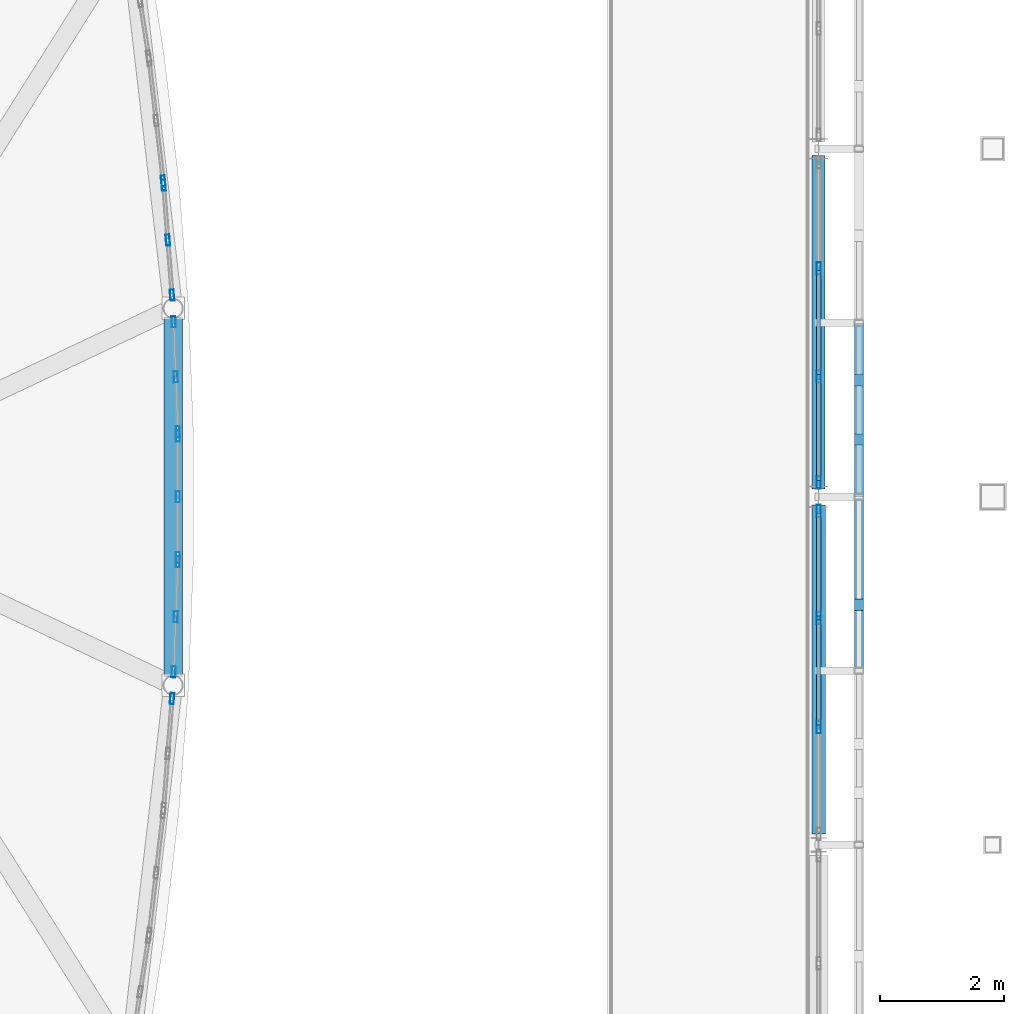
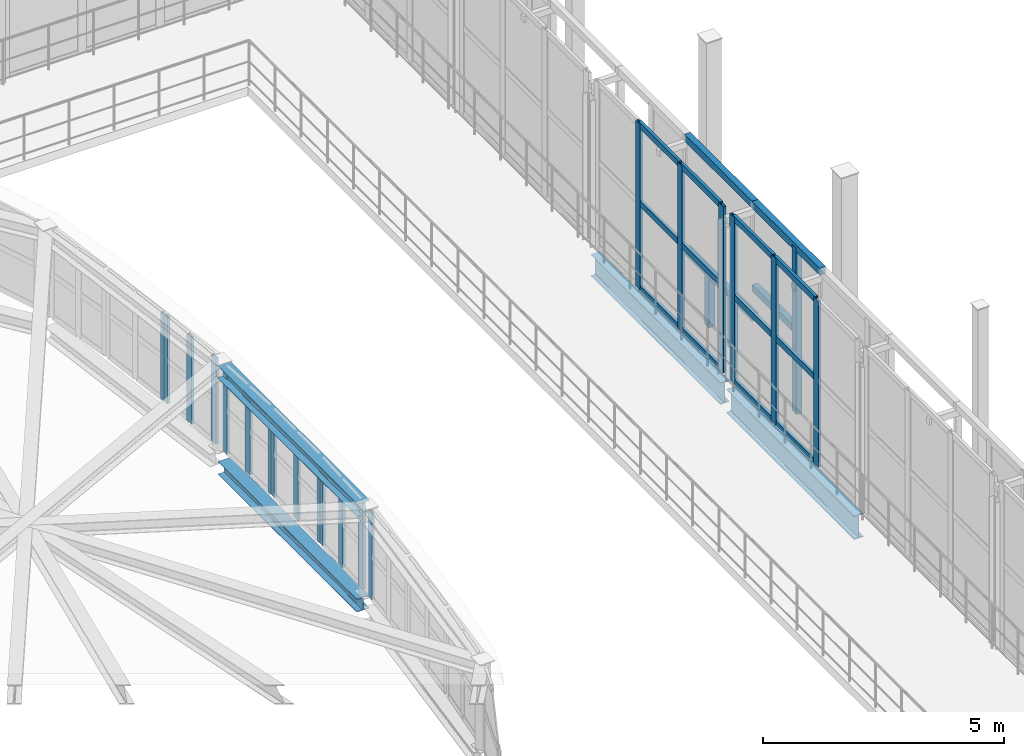
# One storey, part 36 of 78: 39 members, 4 beams, 8 elements without a shape of their own.
"""IFC4 building model written with IfcOpenShell, lengths in metres."""

from ifc_helpers import new_model, si_unit, direction, frame, origin, origin_2d, place, context, subcontext, project, spatial, rectangle, hollow_rectangle, i_section, extrude, material, layer, layer_set, material_profile, profile_set, type_object, element, aggregate, save


model = new_model("IFC4")

# Units and contexts
model_context = context("Model", 3, precision=1e-05, world=origin(), true_north=direction((0.0, 1.0)))
body_context = subcontext(model_context, "Body", "Model", "MODEL_VIEW")
ifc_project = project(units=[si_unit("LENGTHUNIT", "METRE"), si_unit("AREAUNIT", "SQUARE_METRE"), si_unit("VOLUMEUNIT", "CUBIC_METRE"), si_unit("PLANEANGLEUNIT", "RADIAN"), si_unit("MASSUNIT", "GRAM", prefix="KILO")], contexts=[model_context])

# Site, building, storey
site_placement = place(None, origin())
site = spatial("IfcSite", under=ifc_project, at=site_placement, CompositionType="ELEMENT")
building_placement = place(site_placement, origin())
building = spatial("IfcBuilding", under=site, at=building_placement, Name="Vinh Khe Railworks Police Headquarters", CompositionType="ELEMENT")
storey_placement = place(building_placement, frame((0.0, 0.0, 13.199951171875)))
storey = spatial("IfcBuildingStorey", under=building, at=storey_placement, Name="L03", CompositionType="ELEMENT", Elevation=13.199951171875)

# Members
ifc_material_1 = material(Name="Salvaged ironwood timber", Category="wood")
ifc_material_profile_1 = material_profile(ifc_material_1, rectangle(XDim=0.139892578125, YDim=0.179931640625, at=origin_2d()), Name="TIMBER 140x180")
ifc_profile_set_1 = profile_set([ifc_material_profile_1], Name="Salvaged ironwood timber")
member_type_1 = type_object("IfcMemberType", Name="MEM-QUILT-STILE", PredefinedType="CHORD", material=ifc_profile_set_1)
member_1_placement = place(storey_placement, frame((60.64990234375, 39.199951171875, 4.1201171875), z_axis=(0.0, 1.0, 0.0), x_axis=(-1.0, 0.0, 0.0)))
element("IfcMember", 1, at=member_1_placement, inside=storey, type_object=member_type_1, Name="Salvaged Timber Quilt Transom E-L03-05-TOP", PredefinedType="CHORD", context=body_context, shape_type="SweptSolid", body=[
    extrude(rectangle(XDim=0.139892578125, YDim=0.179931640625, at=origin_2d()), origin(), (0.0, 0.0, 1.0), 2.800048828125),
])
member_2_placement = place(storey_placement, frame((60.64990234375, 40.263916015625, -0.079833984375), z_axis=(0.0, 0.0, 1.0), x_axis=(1.0, 0.0, 0.0)))
element("IfcMember", 2, at=member_2_placement, inside=storey, type_object=member_type_1, Name="Salvaged Timber Quilt Stile E-L03-05-V1", PredefinedType="POST", context=body_context, shape_type="SweptSolid", body=[
    extrude(rectangle(XDim=0.139892578125, YDim=0.179931640625, at=origin_2d()), origin(), (0.0, 0.0, 1.0), 4.199951171875),
])
member_3_placement = place(storey_placement, frame((60.64990234375, 40.263916015625, 2.01611328125), z_axis=(0.0, 1.0, 0.0), x_axis=(-1.0, 0.0, 0.0)))
element("IfcMember", 3, at=member_3_placement, inside=storey, type_object=member_type_1, Name="Salvaged Timber Quilt Transom E-L03-05-M1", PredefinedType="CHORD", context=body_context, shape_type="SweptSolid", body=[
    extrude(rectangle(XDim=0.139892578125, YDim=0.179931640625, at=origin_2d()), origin(), (0.0, 0.0, 1.0), 1.736083984375),
])
for number, where, z_axis, x_axis, name in (
    (4, (60.64990234375, 42.0, 4.1201171875), (0.0, 1.0, 0.0), (-1.0, 0.0, 0.0), "Salvaged Timber Quilt Transom E-L03-06-TOP"),
    (5, (60.64990234375, 42.0, 1.260009765625), (0.0, 1.0, 0.0), (-1.0, 0.0, 0.0), "Salvaged Timber Quilt Transom E-L03-06-M1"),
):
    element("IfcMember", number, at=place(storey_placement, frame(where, z_axis=z_axis, x_axis=x_axis)), inside=storey, type_object=member_type_1, Name=name, PredefinedType="CHORD", context=body_context, shape_type="SweptSolid", body=[
        extrude(rectangle(XDim=0.139892578125, YDim=0.179931640625, at=origin_2d()), origin(), (0.0, 0.0, 1.0), 2.800048828125),
    ])
for number, where, z_axis, x_axis, name in (
    (6, (60.64990234375, 42.924072265625, -0.079833984375), (0.0, 0.0, 1.0), (1.0, 0.0, 0.0), "Salvaged Timber Quilt Stile E-L03-06-V1"),
    (7, (60.64990234375, 43.8759765625, -0.079833984375), (0.0, 0.0, 1.0), (1.0, 0.0, 0.0), "Salvaged Timber Quilt Stile E-L03-06-V2"),
):
    element("IfcMember", number, at=place(storey_placement, frame(where, z_axis=z_axis, x_axis=x_axis)), inside=storey, type_object=member_type_1, Name=name, PredefinedType="POST", context=body_context, shape_type="SweptSolid", body=[
        extrude(rectangle(XDim=0.139892578125, YDim=0.179931640625, at=origin_2d()), origin(), (0.0, 0.0, 1.0), 1.33984375),
    ])

# Curtain wall, member
ifc_material_2 = material(Name="Anodised aluminium and acoustic laminated glass", Category="aluminium")
ifc_layer_1 = layer(ifc_material_2, 0.159912109375)
ifc_layer_set_1 = layer_set([ifc_layer_1], Name="Anodised aluminium and acoustic laminated glass")
curtain_wall_type_1 = type_object("IfcCurtainWallType", Name="CW-DRUM-CHORD", PredefinedType="USERDEFINED", material=ifc_layer_set_1)
curtain_wall_1_placement = place(storey_placement, origin())
curtain_wall_1 = element("IfcCurtainWall", 8, at=curtain_wall_1_placement, inside=storey, type_object=curtain_wall_type_1, Name="Elliptical Command Drum Glazing L03 Chord 3", ObjectType="DRUM FACADE GLAZING", PredefinedType="USERDEFINED")
ifc_material_3 = material(Name="Anodised aluminium 6063-T6", Category="aluminium")
ifc_material_profile_2 = material_profile(ifc_material_3, hollow_rectangle(XDim=0.06494140625, YDim=0.179931640625, WallThickness=0.0048828125, at=origin_2d()), Name="CW-M 65x180x5")
ifc_profile_set_2 = profile_set([ifc_material_profile_2], Name="Anodised aluminium 6063-T6")
member_type_2 = type_object("IfcMemberType", Name="MULL-CWM-02", PredefinedType="MULLION", material=ifc_profile_set_2)
member_4_placement = place(storey_placement, frame((49.595947265625, 38.754150390625, 0.0), z_axis=(0.0, 0.0, 1.0), x_axis=(-0.997033481847, 0.076969059213, 0.0)))
member_4 = element("IfcMember", 9, at=member_4_placement, type_object=member_type_2, Name="CW-02 mullion 3", PredefinedType="MULLION", context=body_context, shape_type="SweptSolid", body=[
    extrude(hollow_rectangle(XDim=0.06494140625, YDim=0.179931640625, WallThickness=0.0048828125, at=origin_2d()), origin(), (0.0, 0.0, 1.0), 2.179931640625),
])
aggregate(curtain_wall_1, [member_4])

# Curtain wall, members
curtain_wall_2_placement = place(storey_placement, origin())
curtain_wall_2 = element("IfcCurtainWall", 10, at=curtain_wall_2_placement, inside=storey, type_object=curtain_wall_type_1, Name="Elliptical Command Drum Glazing L03 Chord 4", ObjectType="DRUM FACADE GLAZING", PredefinedType="USERDEFINED")
member_5_placement = place(storey_placement, frame((49.62060546875, 39.18212890625, 0.0), z_axis=(0.0, 0.0, 1.0), x_axis=(-0.999258113622, 0.038512625989, 0.0)))
member_5 = element("IfcMember", 11, at=member_5_placement, type_object=member_type_2, Name="CW-02 mullion 1", PredefinedType="MULLION", context=body_context, shape_type="SweptSolid", body=[
    extrude(hollow_rectangle(XDim=0.06494140625, YDim=0.179931640625, WallThickness=0.0048828125, at=origin_2d()), origin(), (0.0, 0.0, 1.0), 2.179931640625),
])
member_6_placement = place(storey_placement, frame((49.65478515625, 40.0693359375, 0.0), z_axis=(0.0, 0.0, 1.0), x_axis=(-0.999258113622, 0.038512625989, 0.0)))
member_6 = element("IfcMember", 12, at=member_6_placement, type_object=member_type_2, Name="CW-02 mullion 2", PredefinedType="MULLION", context=body_context, shape_type="SweptSolid", body=[
    extrude(hollow_rectangle(XDim=0.06494140625, YDim=0.179931640625, WallThickness=0.0048828125, at=origin_2d()), origin(), (0.0, 0.0, 1.0), 2.179931640625),
])
member_7_placement = place(storey_placement, frame((49.68896484375, 40.956298828125, 0.0), z_axis=(0.0, 0.0, 1.0), x_axis=(-0.999258113622, 0.038512625989, 0.0)))
member_7 = element("IfcMember", 13, at=member_7_placement, type_object=member_type_2, Name="CW-02 mullion 3", PredefinedType="MULLION", context=body_context, shape_type="SweptSolid", body=[
    extrude(hollow_rectangle(XDim=0.06494140625, YDim=0.179931640625, WallThickness=0.0048828125, at=origin_2d()), origin(), (0.0, 0.0, 1.0), 2.179931640625),
])
aggregate(curtain_wall_2, [member_5, member_6, member_7])

curtain_wall_3_placement = place(storey_placement, origin())
curtain_wall_3 = element("IfcCurtainWall", 14, at=curtain_wall_3_placement, inside=storey, type_object=curtain_wall_type_1, Name="Elliptical Command Drum Glazing L03 Chord 5", ObjectType="DRUM FACADE GLAZING", PredefinedType="USERDEFINED")
member_8_placement = place(storey_placement, frame((49.690185546875, 41.021240234375, 0.0), z_axis=(0.0, 0.0, 1.0), x_axis=(-1.0, 0.0, 0.0)))
member_8 = element("IfcMember", 15, at=member_8_placement, type_object=member_type_2, Name="CW-02 mullion 1", PredefinedType="MULLION", context=body_context, shape_type="SweptSolid", body=[
    extrude(hollow_rectangle(XDim=0.06494140625, YDim=0.179931640625, WallThickness=0.0048828125, at=origin_2d()), origin(), (0.0, 0.0, 1.0), 2.179931640625),
])
member_9_placement = place(storey_placement, frame((49.690185546875, 42.0, 0.0), z_axis=(0.0, 0.0, 1.0), x_axis=(-1.0, 0.0, 0.0)))
member_9 = element("IfcMember", 16, at=member_9_placement, type_object=member_type_2, Name="CW-02 mullion 2", PredefinedType="MULLION", context=body_context, shape_type="SweptSolid", body=[
    extrude(hollow_rectangle(XDim=0.06494140625, YDim=0.179931640625, WallThickness=0.0048828125, at=origin_2d()), origin(), (0.0, 0.0, 1.0), 2.179931640625),
])
member_10_placement = place(storey_placement, frame((49.690185546875, 42.978759765625, 0.0), z_axis=(0.0, 0.0, 1.0), x_axis=(-1.0, 0.0, 0.0)))
member_10 = element("IfcMember", 17, at=member_10_placement, type_object=member_type_2, Name="CW-02 mullion 3", PredefinedType="MULLION", context=body_context, shape_type="SweptSolid", body=[
    extrude(hollow_rectangle(XDim=0.06494140625, YDim=0.179931640625, WallThickness=0.0048828125, at=origin_2d()), origin(), (0.0, 0.0, 1.0), 2.179931640625),
])
aggregate(curtain_wall_3, [member_8, member_9, member_10])

curtain_wall_4_placement = place(storey_placement, origin())
curtain_wall_4 = element("IfcCurtainWall", 18, at=curtain_wall_4_placement, inside=storey, type_object=curtain_wall_type_1, Name="Elliptical Command Drum Glazing L03 Chord 6", ObjectType="DRUM FACADE GLAZING", PredefinedType="USERDEFINED")
member_11_placement = place(storey_placement, frame((49.68896484375, 43.043701171875, 0.0), z_axis=(0.0, 0.0, 1.0), x_axis=(-0.999258113622, -0.038512625989, 0.0)))
member_11 = element("IfcMember", 19, at=member_11_placement, type_object=member_type_2, Name="CW-02 mullion 1", PredefinedType="MULLION", context=body_context, shape_type="SweptSolid", body=[
    extrude(hollow_rectangle(XDim=0.06494140625, YDim=0.179931640625, WallThickness=0.0048828125, at=origin_2d()), origin(), (0.0, 0.0, 1.0), 2.179931640625),
])
member_12_placement = place(storey_placement, frame((49.65478515625, 43.9306640625, 0.0), z_axis=(0.0, 0.0, 1.0), x_axis=(-0.999258113622, -0.038512625989, 0.0)))
member_12 = element("IfcMember", 20, at=member_12_placement, type_object=member_type_2, Name="CW-02 mullion 2", PredefinedType="MULLION", context=body_context, shape_type="SweptSolid", body=[
    extrude(hollow_rectangle(XDim=0.06494140625, YDim=0.179931640625, WallThickness=0.0048828125, at=origin_2d()), origin(), (0.0, 0.0, 1.0), 2.179931640625),
])
member_13_placement = place(storey_placement, frame((49.62060546875, 44.81787109375, 0.0), z_axis=(0.0, 0.0, 1.0), x_axis=(-0.999258113622, -0.038512625989, 0.0)))
member_13 = element("IfcMember", 21, at=member_13_placement, type_object=member_type_2, Name="CW-02 mullion 3", PredefinedType="MULLION", context=body_context, shape_type="SweptSolid", body=[
    extrude(hollow_rectangle(XDim=0.06494140625, YDim=0.179931640625, WallThickness=0.0048828125, at=origin_2d()), origin(), (0.0, 0.0, 1.0), 2.179931640625),
])
aggregate(curtain_wall_4, [member_11, member_12, member_13])

curtain_wall_5_placement = place(storey_placement, origin())
curtain_wall_5 = element("IfcCurtainWall", 22, at=curtain_wall_5_placement, inside=storey, type_object=curtain_wall_type_1, Name="Elliptical Command Drum Glazing L03 Chord 7", ObjectType="DRUM FACADE GLAZING", PredefinedType="USERDEFINED")
member_14_placement = place(storey_placement, frame((49.595947265625, 45.245849609375, 0.0), z_axis=(0.0, 0.0, 1.0), x_axis=(-0.997033481847, -0.076969059213, 0.0)))
member_14 = element("IfcMember", 23, at=member_14_placement, type_object=member_type_2, Name="CW-02 mullion 1", PredefinedType="MULLION", context=body_context, shape_type="SweptSolid", body=[
    extrude(hollow_rectangle(XDim=0.06494140625, YDim=0.179931640625, WallThickness=0.0048828125, at=origin_2d()), origin(), (0.0, 0.0, 1.0), 2.179931640625),
])
member_15_placement = place(storey_placement, frame((49.527587890625, 46.131103515625, 0.0), z_axis=(0.0, 0.0, 1.0), x_axis=(-0.997033481847, -0.076969059213, 0.0)))
member_15 = element("IfcMember", 24, at=member_15_placement, type_object=member_type_2, Name="CW-02 mullion 2", PredefinedType="MULLION", context=body_context, shape_type="SweptSolid", body=[
    extrude(hollow_rectangle(XDim=0.06494140625, YDim=0.179931640625, WallThickness=0.0048828125, at=origin_2d()), origin(), (0.0, 0.0, 1.0), 2.179931640625),
])
member_16_placement = place(storey_placement, frame((49.459228515625, 47.01611328125, 0.0), z_axis=(0.0, 0.0, 1.0), x_axis=(-0.997033481847, -0.076969059213, 0.0)))
member_16 = element("IfcMember", 25, at=member_16_placement, type_object=member_type_2, Name="CW-02 mullion 3", PredefinedType="MULLION", context=body_context, shape_type="SweptSolid", body=[
    extrude(hollow_rectangle(XDim=0.06494140625, YDim=0.179931640625, WallThickness=0.0048828125, at=origin_2d()), origin(), (0.0, 0.0, 1.0), 2.179931640625),
])
aggregate(curtain_wall_5, [member_14, member_15, member_16])

# Curtain wall, member
curtain_wall_6_placement = place(storey_placement, origin())
curtain_wall_6 = element("IfcCurtainWall", 26, at=curtain_wall_6_placement, inside=storey, type_object=curtain_wall_type_1, Name="Elliptical Command Drum Glazing L03 Chord 8", ObjectType="DRUM FACADE GLAZING", PredefinedType="USERDEFINED")
member_17_placement = place(storey_placement, frame((49.452880859375, 47.080810546875, 0.0), z_axis=(0.0, 0.0, 1.0), x_axis=(-0.993328656296, -0.115317737498, 0.0)))
member_17 = element("IfcMember", 27, at=member_17_placement, type_object=member_type_2, Name="CW-02 mullion 1", PredefinedType="MULLION", context=body_context, shape_type="SweptSolid", body=[
    extrude(hollow_rectangle(XDim=0.06494140625, YDim=0.179931640625, WallThickness=0.0048828125, at=origin_2d()), origin(), (0.0, 0.0, 1.0), 2.179931640625),
])
aggregate(curtain_wall_6, [member_17])

# Curtain wall, members
ifc_material_4 = material(Name="Anodised aluminium and low-iron glass", Category="aluminium")
ifc_layer_2 = layer(ifc_material_4, 0.179931640625)
ifc_layer_set_2 = layer_set([ifc_layer_2], Name="Anodised aluminium and low-iron glass")
curtain_wall_type_2 = type_object("IfcCurtainWallType", Name="CW-CUBE-UNIT", PredefinedType="USERDEFINED", material=ifc_layer_set_2)
curtain_wall_7_placement = place(storey_placement, origin())
curtain_wall_7 = element("IfcCurtainWall", 28, at=curtain_wall_7_placement, inside=storey, type_object=curtain_wall_type_2, Name="Entrance Hall Curtain Wall L03 E-3", ObjectType="UNITISED GLAZING", PredefinedType="USERDEFINED")
ifc_material_profile_3 = material_profile(ifc_material_3, hollow_rectangle(XDim=0.070068359375, YDim=0.199951171875, WallThickness=0.0048828125, at=origin_2d()), Name="CW-M 70x200x5")
ifc_profile_set_3 = profile_set([ifc_material_profile_3], Name="Anodised aluminium 6063-T6")
member_type_3 = type_object("IfcMemberType", Name="MULL-CWM-03", PredefinedType="MULLION", material=ifc_profile_set_3)
member_18_placement = place(storey_placement, frame((60.0, 38.294921875, 0.0), z_axis=(0.0, 0.0, 1.0), x_axis=(-1.0, 0.0, 0.0)))
member_18 = element("IfcMember", 29, at=member_18_placement, type_object=member_type_3, Name="CW-01 mullion 2", PredefinedType="MULLION", context=body_context, shape_type="SweptSolid", body=[
    extrude(hollow_rectangle(XDim=0.070068359375, YDim=0.199951171875, WallThickness=0.0048828125, at=origin_2d()), origin(), (0.0, 0.0, 1.0), 4.199951171875),
])
member_19_placement = place(storey_placement, frame((60.0, 40.050048828125, 0.0), z_axis=(0.0, 0.0, 1.0), x_axis=(-1.0, 0.0, 0.0)))
member_19 = element("IfcMember", 30, at=member_19_placement, type_object=member_type_3, Name="CW-01 mullion 3", PredefinedType="MULLION", context=body_context, shape_type="SweptSolid", body=[
    extrude(hollow_rectangle(XDim=0.070068359375, YDim=0.199951171875, WallThickness=0.0048828125, at=origin_2d()), origin(), (0.0, 0.0, 1.0), 4.199951171875),
])
member_20_placement = place(storey_placement, frame((60.0, 41.77001953125, 0.0), z_axis=(0.0, 0.0, 1.0), x_axis=(-1.0, 0.0, 0.0)))
member_20 = element("IfcMember", 31, at=member_20_placement, type_object=member_type_3, Name="CW-01 mullion 4", PredefinedType="MULLION", context=body_context, shape_type="SweptSolid", body=[
    extrude(hollow_rectangle(XDim=0.070068359375, YDim=0.199951171875, WallThickness=0.0048828125, at=origin_2d()), origin(), (0.0, 0.0, 1.0), 4.199951171875),
])

curtain_wall_8_placement = place(storey_placement, origin())
curtain_wall_8 = element("IfcCurtainWall", 32, at=curtain_wall_8_placement, inside=storey, type_object=curtain_wall_type_2, Name="Entrance Hall Curtain Wall L03 E-4", ObjectType="UNITISED GLAZING", PredefinedType="USERDEFINED")
member_21_placement = place(storey_placement, frame((60.0, 42.22998046875, 0.0), z_axis=(0.0, 0.0, 1.0), x_axis=(-1.0, 0.0, 0.0)))
member_21 = element("IfcMember", 33, at=member_21_placement, type_object=member_type_3, Name="CW-01 mullion 1", PredefinedType="MULLION", context=body_context, shape_type="SweptSolid", body=[
    extrude(hollow_rectangle(XDim=0.070068359375, YDim=0.199951171875, WallThickness=0.0048828125, at=origin_2d()), origin(), (0.0, 0.0, 1.0), 4.199951171875),
])
member_22_placement = place(storey_placement, frame((60.0, 43.93505859375, 0.0), z_axis=(0.0, 0.0, 1.0), x_axis=(-1.0, 0.0, 0.0)))
member_22 = element("IfcMember", 34, at=member_22_placement, type_object=member_type_3, Name="CW-01 mullion 2", PredefinedType="MULLION", context=body_context, shape_type="SweptSolid", body=[
    extrude(hollow_rectangle(XDim=0.070068359375, YDim=0.199951171875, WallThickness=0.0048828125, at=origin_2d()), origin(), (0.0, 0.0, 1.0), 4.199951171875),
])
member_23_placement = place(storey_placement, frame((60.0, 45.675048828125, 0.0), z_axis=(0.0, 0.0, 1.0), x_axis=(-1.0, 0.0, 0.0)))
member_23 = element("IfcMember", 35, at=member_23_placement, type_object=member_type_3, Name="CW-01 mullion 3", PredefinedType="MULLION", context=body_context, shape_type="SweptSolid", body=[
    extrude(hollow_rectangle(XDim=0.070068359375, YDim=0.199951171875, WallThickness=0.0048828125, at=origin_2d()), origin(), (0.0, 0.0, 1.0), 4.199951171875),
])

# Beams
ifc_material_5 = material(Name="Steel S355JR", Category="steel")
ifc_material_profile_4 = material_profile(ifc_material_5, i_section(OverallWidth=0.300048828125, OverallDepth=0.330078125, WebThickness=0.009521484375, FlangeThickness=0.0166015625, FilletRadius=0.027099609375, at=origin_2d()), Name="HEA 340")
ifc_profile_set_4 = profile_set([ifc_material_profile_4], Name="Steel S355JR")
beam_type_1 = type_object("IfcBeamType", Name="Steel Girder HEA 340", PredefinedType="BEAM", material=ifc_profile_set_4)
beam_1_placement = place(storey_placement, frame((49.6123046875, 39.125732421875, -0.385009765625), z_axis=(0.0, 1.0, 0.0), x_axis=(-1.0, 0.0, 0.0)))
element("IfcBeam", 36, at=beam_1_placement, inside=storey, type_object=beam_type_1, Name="Drum Ring Girder BM-L03-DRUM-SB-16-1277", PredefinedType="BEAM", context=body_context, shape_type="SweptSolid", body=[
    extrude(i_section(OverallWidth=0.300048828125, OverallDepth=0.330078125, WebThickness=0.009521484375, FlangeThickness=0.0166015625, FilletRadius=0.027099609375, at=origin_2d()), origin(), (0.0, 0.0, 1.0), 5.74853515625),
])
beam_2_placement = place(storey_placement, frame((49.6123046875, 39.10986328125, 2.03515625), z_axis=(0.0, 1.0, 0.0), x_axis=(-1.0, 0.0, 0.0)))
element("IfcBeam", 37, at=beam_2_placement, inside=storey, type_object=beam_type_1, Name="Drum Ring Girder BM-L03-DRUM-SB-16-1483", PredefinedType="BEAM", context=body_context, shape_type="SweptSolid", body=[
    extrude(i_section(OverallWidth=0.300048828125, OverallDepth=0.330078125, WebThickness=0.009521484375, FlangeThickness=0.0166015625, FilletRadius=0.027099609375, at=origin_2d()), origin(), (0.0, 0.0, 1.0), 5.7802734375),
])
ifc_material_profile_5 = material_profile(ifc_material_5, i_section(OverallWidth=0.2099609375, OverallDepth=0.550048828125, WebThickness=0.010986328125, FlangeThickness=0.01708984375, FilletRadius=0.02392578125, at=origin_2d()), Name="IPE 550")
ifc_profile_set_5 = profile_set([ifc_material_profile_5], Name="Steel S355JR")
beam_type_2 = type_object("IfcBeamType", Name="Steel Girder IPE 550", PredefinedType="BEAM", material=ifc_profile_set_5)
beam_3_placement = place(storey_placement, frame((60.0, 42.1298828125, -0.494873046875), z_axis=(0.0, 1.0, 0.0), x_axis=(-1.0, 0.0, 0.0)))
element("IfcBeam", 38, at=beam_3_placement, inside=storey, type_object=beam_type_2, Name="Girder BM-L03-NS-SB-18-1222", PredefinedType="BEAM", context=body_context, shape_type="SweptSolid", body=[
    extrude(i_section(OverallWidth=0.2099609375, OverallDepth=0.550048828125, WebThickness=0.010986328125, FlangeThickness=0.01708984375, FilletRadius=0.02392578125, at=origin_2d()), origin(), (0.0, 0.0, 1.0), 5.360107421875),
])
ifc_material_profile_6 = material_profile(ifc_material_5, i_section(OverallWidth=0.219970703125, OverallDepth=0.60009765625, WebThickness=0.011962890625, FlangeThickness=0.01904296875, FilletRadius=0.02392578125, at=origin_2d()), Name="IPE 600")
ifc_profile_set_6 = profile_set([ifc_material_profile_6], Name="Steel S355JR")
beam_type_3 = type_object("IfcBeamType", Name="Steel Girder IPE 600", PredefinedType="BEAM", material=ifc_profile_set_6)
beam_4_placement = place(storey_placement, frame((60.0, 36.574951171875, -0.52001953125), z_axis=(0.0, 1.0, 0.0), x_axis=(-1.0, 0.0, 0.0)))
element("IfcBeam", 39, at=beam_4_placement, inside=storey, type_object=beam_type_3, Name="Girder BM-L03-NS-SB-17-1221", PredefinedType="BEAM", context=body_context, shape_type="SweptSolid", body=[
    extrude(i_section(OverallWidth=0.219970703125, OverallDepth=0.60009765625, WebThickness=0.011962890625, FlangeThickness=0.01904296875, FilletRadius=0.02392578125, at=origin_2d()), origin(), (0.0, 0.0, 1.0), 5.295166015625),
])

# Member
ifc_material_profile_7 = material_profile(ifc_material_3, hollow_rectangle(XDim=0.070068359375, YDim=0.14990234375, WallThickness=0.0048828125, at=origin_2d()), Name="CW-T 70x150x5")
ifc_profile_set_7 = profile_set([ifc_material_profile_7], Name="Anodised aluminium 6063-T6")
member_type_4 = type_object("IfcMemberType", Name="TRAN-CWT-03", PredefinedType="USERDEFINED", material=ifc_profile_set_7)
member_24_placement = place(storey_placement, frame((60.0, 38.330078125, 0.03515625), z_axis=(0.0, 1.0, 0.0), x_axis=(-1.0, 0.0, 0.0)))
member_24 = element("IfcMember", 40, at=member_24_placement, type_object=member_type_4, Name="CW-01 transom 2.1", ObjectType="TRANSOM", PredefinedType="USERDEFINED", context=body_context, shape_type="SweptSolid", body=[
    extrude(hollow_rectangle(XDim=0.070068359375, YDim=0.14990234375, WallThickness=0.0048828125, at=origin_2d()), origin(), (0.0, 0.0, 1.0), 1.684814453125),
])

member_25_placement = place(storey_placement, frame((60.0, 38.330078125, 2.18408203125), z_axis=(0.0, 1.0, 0.0), x_axis=(-1.0, 0.0, 0.0)))
member_25 = element("IfcMember", 41, at=member_25_placement, type_object=member_type_4, Name="CW-01 transom 2.2", ObjectType="TRANSOM", PredefinedType="USERDEFINED", context=body_context, shape_type="SweptSolid", body=[
    extrude(hollow_rectangle(XDim=0.070068359375, YDim=0.14990234375, WallThickness=0.0048828125, at=origin_2d()), origin(), (0.0, 0.0, 1.0), 1.684814453125),
])

member_26_placement = place(storey_placement, frame((60.0, 38.330078125, 4.1650390625), z_axis=(0.0, 1.0, 0.0), x_axis=(-1.0, 0.0, 0.0)))
member_26 = element("IfcMember", 42, at=member_26_placement, type_object=member_type_4, Name="CW-01 transom 2.3", ObjectType="TRANSOM", PredefinedType="USERDEFINED", context=body_context, shape_type="SweptSolid", body=[
    extrude(hollow_rectangle(XDim=0.070068359375, YDim=0.14990234375, WallThickness=0.0048828125, at=origin_2d()), origin(), (0.0, 0.0, 1.0), 1.684814453125),
])

member_27_placement = place(storey_placement, frame((60.0, 40.0849609375, 0.03515625), z_axis=(0.0, 1.0, 0.0), x_axis=(-1.0, 0.0, 0.0)))
member_27 = element("IfcMember", 43, at=member_27_placement, type_object=member_type_4, Name="CW-01 transom 3.1", ObjectType="TRANSOM", PredefinedType="USERDEFINED", context=body_context, shape_type="SweptSolid", body=[
    extrude(hollow_rectangle(XDim=0.070068359375, YDim=0.14990234375, WallThickness=0.0048828125, at=origin_2d()), origin(), (0.0, 0.0, 1.0), 1.650146484375),
])

member_28_placement = place(storey_placement, frame((60.0, 40.0849609375, 2.18408203125), z_axis=(0.0, 1.0, 0.0), x_axis=(-1.0, 0.0, 0.0)))
member_28 = element("IfcMember", 44, at=member_28_placement, type_object=member_type_4, Name="CW-01 transom 3.2", ObjectType="TRANSOM", PredefinedType="USERDEFINED", context=body_context, shape_type="SweptSolid", body=[
    extrude(hollow_rectangle(XDim=0.070068359375, YDim=0.14990234375, WallThickness=0.0048828125, at=origin_2d()), origin(), (0.0, 0.0, 1.0), 1.650146484375),
])

member_29_placement = place(storey_placement, frame((60.0, 40.0849609375, 4.1650390625), z_axis=(0.0, 1.0, 0.0), x_axis=(-1.0, 0.0, 0.0)))
member_29 = element("IfcMember", 45, at=member_29_placement, type_object=member_type_4, Name="CW-01 transom 3.3", ObjectType="TRANSOM", PredefinedType="USERDEFINED", context=body_context, shape_type="SweptSolid", body=[
    extrude(hollow_rectangle(XDim=0.070068359375, YDim=0.14990234375, WallThickness=0.0048828125, at=origin_2d()), origin(), (0.0, 0.0, 1.0), 1.650146484375),
])

aggregate(curtain_wall_7, [member_18, member_19, member_20, member_24, member_25, member_26, member_27, member_28, member_29])

member_30_placement = place(storey_placement, frame((60.0, 42.264892578125, 0.03515625), z_axis=(0.0, 1.0, 0.0), x_axis=(-1.0, 0.0, 0.0)))
member_30 = element("IfcMember", 46, at=member_30_placement, type_object=member_type_4, Name="CW-01 transom 1.1", ObjectType="TRANSOM", PredefinedType="USERDEFINED", context=body_context, shape_type="SweptSolid", body=[
    extrude(hollow_rectangle(XDim=0.070068359375, YDim=0.14990234375, WallThickness=0.0048828125, at=origin_2d()), origin(), (0.0, 0.0, 1.0), 1.635009765625),
])

member_31_placement = place(storey_placement, frame((60.0, 42.264892578125, 2.18408203125), z_axis=(0.0, 1.0, 0.0), x_axis=(-1.0, 0.0, 0.0)))
member_31 = element("IfcMember", 47, at=member_31_placement, type_object=member_type_4, Name="CW-01 transom 1.2", ObjectType="TRANSOM", PredefinedType="USERDEFINED", context=body_context, shape_type="SweptSolid", body=[
    extrude(hollow_rectangle(XDim=0.070068359375, YDim=0.14990234375, WallThickness=0.0048828125, at=origin_2d()), origin(), (0.0, 0.0, 1.0), 1.635009765625),
])

member_32_placement = place(storey_placement, frame((60.0, 42.264892578125, 4.1650390625), z_axis=(0.0, 1.0, 0.0), x_axis=(-1.0, 0.0, 0.0)))
member_32 = element("IfcMember", 48, at=member_32_placement, type_object=member_type_4, Name="CW-01 transom 1.3", ObjectType="TRANSOM", PredefinedType="USERDEFINED", context=body_context, shape_type="SweptSolid", body=[
    extrude(hollow_rectangle(XDim=0.070068359375, YDim=0.14990234375, WallThickness=0.0048828125, at=origin_2d()), origin(), (0.0, 0.0, 1.0), 1.635009765625),
])

member_33_placement = place(storey_placement, frame((60.0, 43.969970703125, 0.03515625), z_axis=(0.0, 1.0, 0.0), x_axis=(-1.0, 0.0, 0.0)))
member_33 = element("IfcMember", 49, at=member_33_placement, type_object=member_type_4, Name="CW-01 transom 2.1", ObjectType="TRANSOM", PredefinedType="USERDEFINED", context=body_context, shape_type="SweptSolid", body=[
    extrude(hollow_rectangle(XDim=0.070068359375, YDim=0.14990234375, WallThickness=0.0048828125, at=origin_2d()), origin(), (0.0, 0.0, 1.0), 1.669921875),
])

member_34_placement = place(storey_placement, frame((60.0, 43.969970703125, 2.18408203125), z_axis=(0.0, 1.0, 0.0), x_axis=(-1.0, 0.0, 0.0)))
member_34 = element("IfcMember", 50, at=member_34_placement, type_object=member_type_4, Name="CW-01 transom 2.2", ObjectType="TRANSOM", PredefinedType="USERDEFINED", context=body_context, shape_type="SweptSolid", body=[
    extrude(hollow_rectangle(XDim=0.070068359375, YDim=0.14990234375, WallThickness=0.0048828125, at=origin_2d()), origin(), (0.0, 0.0, 1.0), 1.669921875),
])

member_35_placement = place(storey_placement, frame((60.0, 43.969970703125, 4.1650390625), z_axis=(0.0, 1.0, 0.0), x_axis=(-1.0, 0.0, 0.0)))
member_35 = element("IfcMember", 51, at=member_35_placement, type_object=member_type_4, Name="CW-01 transom 2.3", ObjectType="TRANSOM", PredefinedType="USERDEFINED", context=body_context, shape_type="SweptSolid", body=[
    extrude(hollow_rectangle(XDim=0.070068359375, YDim=0.14990234375, WallThickness=0.0048828125, at=origin_2d()), origin(), (0.0, 0.0, 1.0), 1.669921875),
])

aggregate(curtain_wall_8, [member_21, member_22, member_23, member_30, member_31, member_32, member_33, member_34, member_35])

save(model, "model.ifc")
